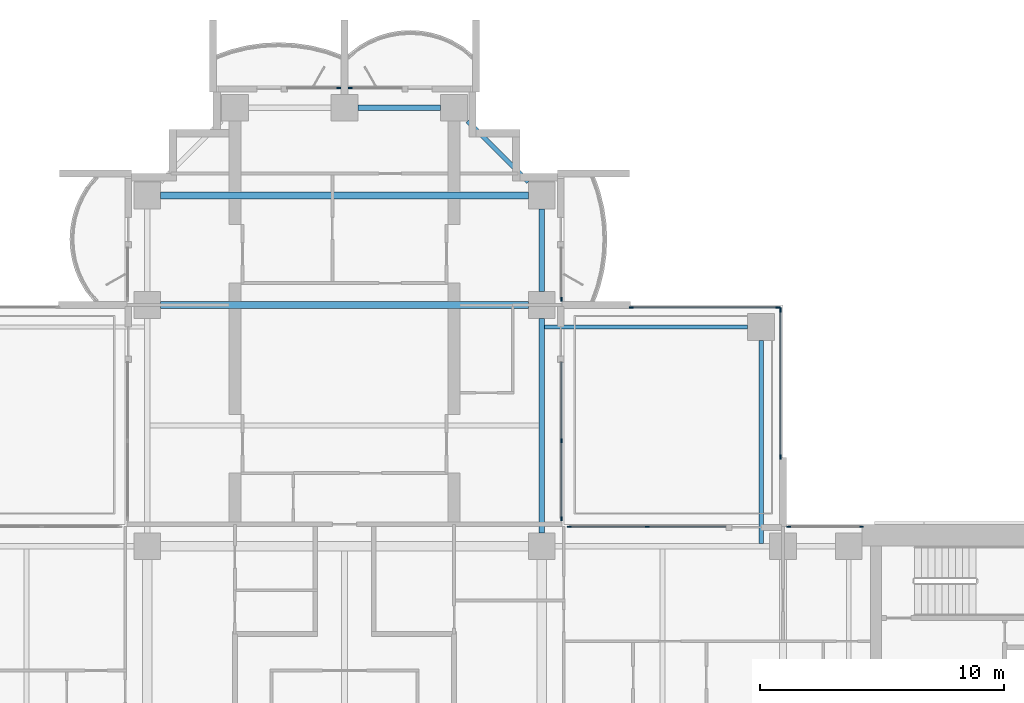
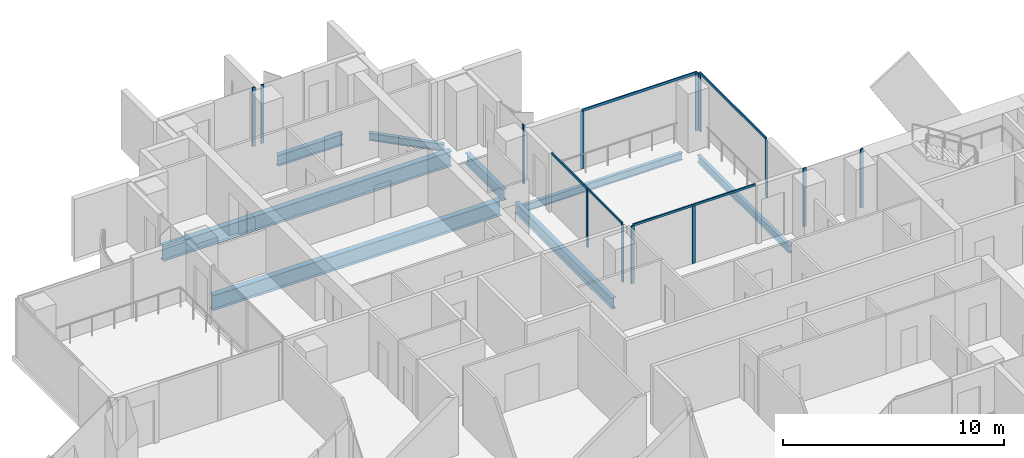
# One storey, part 6 of 19: 17 members, 8 beams, 8 elements without a shape of their own.
"""IFC4 building model written with IfcOpenShell, lengths in metres."""

from ifc_helpers import new_model, si_unit, direction, frame, origin, origin_2d, place, context, subcontext, project, spatial, rectangle, i_section, extrude, material, material_profile, profile_set, type_object, element, aggregate, save


model = new_model("IFC4")

# Units and contexts
model_context = context("Model", 3, precision=1e-05, world=origin(), true_north=direction((0.0, 1.0)))
body_context = subcontext(model_context, "Body", "Model", "MODEL_VIEW")
ifc_project = project(units=[si_unit("LENGTHUNIT", "METRE"), si_unit("AREAUNIT", "SQUARE_METRE"), si_unit("VOLUMEUNIT", "CUBIC_METRE"), si_unit("PLANEANGLEUNIT", "RADIAN"), si_unit("MASSUNIT", "GRAM", prefix="KILO")], contexts=[model_context])

# Site, building, storey
site_placement = place(None, origin())
site = spatial("IfcSite", under=ifc_project, at=site_placement, CompositionType="ELEMENT")
building_placement = place(site_placement, origin())
building = spatial("IfcBuilding", under=site, at=building_placement, Name="Perihelion Cross Residences", CompositionType="ELEMENT")
storey_placement = place(building_placement, frame((0.0, 0.0, 126.89990234375)))
storey = spatial("IfcBuildingStorey", under=building, at=storey_placement, Name="L30", CompositionType="ELEMENT", Elevation=126.89990234375)

# Curtain wall, members
ifc_material_1 = material(Name="Bronze anodised aluminium, tinted glazing", Category="aluminium")
curtain_wall_type_1 = type_object("IfcCurtainWallType", Name="CW1", PredefinedType="NOTDEFINED", material=ifc_material_1)
curtain_wall_1_placement = place(storey_placement, origin())
curtain_wall_1 = element("IfcCurtainWall", 1, at=curtain_wall_1_placement, inside=storey, type_object=curtain_wall_type_1, Name="Curtain wall CW1 L30 east side north bay 1", PredefinedType="NOTDEFINED")
ifc_material_2 = material(Name="Bronze anodised aluminium", Category="aluminium")
ifc_material_profile_1 = material_profile(ifc_material_2, rectangle(XDim=0.06005859375, YDim=0.159912109375, at=origin_2d()), Name="CW1 mullion")
ifc_profile_set_1 = profile_set([ifc_material_profile_1], Name="Bronze anodised aluminium")
member_type_1 = type_object("IfcMemberType", Name="CW1 mullion", PredefinedType="MULLION", material=ifc_profile_set_1)
member_1_placement = place(storey_placement, frame((21.219970703125, 8.89990234375, 0.0), z_axis=(0.0, 0.0, 1.0), x_axis=(0.0, -1.0, 0.0)))
member_1 = element("IfcMember", 2, at=member_1_placement, type_object=member_type_1, Name="CW1 mullion 1", PredefinedType="MULLION", context=body_context, shape_type="SweptSolid", body=[
    extrude(rectangle(XDim=0.06005859375, YDim=0.159912109375, at=origin_2d()), origin(), (0.0, 0.0, 1.0), 3.25),
])
member_2_placement = place(storey_placement, frame((18.22998046875, 8.89990234375, 0.0), z_axis=(0.0, 0.0, 1.0), x_axis=(0.0, -1.0, 0.0)))
member_2 = element("IfcMember", 3, at=member_2_placement, type_object=member_type_1, Name="CW1 mullion 2", PredefinedType="MULLION", context=body_context, shape_type="SweptSolid", body=[
    extrude(rectangle(XDim=0.06005859375, YDim=0.159912109375, at=origin_2d()), origin(), (0.0, 0.0, 1.0), 3.25),
])
aggregate(curtain_wall_1, [member_1, member_2])

curtain_wall_2_placement = place(storey_placement, origin())
curtain_wall_2 = element("IfcCurtainWall", 4, at=curtain_wall_2_placement, inside=storey, type_object=curtain_wall_type_1, Name="Curtain wall CW1 L30 east side north bay 2", PredefinedType="NOTDEFINED")
member_3_placement = place(storey_placement, frame((12.425048828125, 8.89990234375, 0.0), z_axis=(0.0, 0.0, 1.0), x_axis=(0.0, -1.0, 0.0)))
member_3 = element("IfcMember", 5, at=member_3_placement, type_object=member_type_1, Name="CW1 mullion 2", PredefinedType="MULLION", context=body_context, shape_type="SweptSolid", body=[
    extrude(rectangle(XDim=0.06005859375, YDim=0.159912109375, at=origin_2d()), origin(), (0.0, 0.0, 1.0), 3.190185546875),
])
member_4_placement = place(storey_placement, frame((9.22998046875, 8.89990234375, 0.0), z_axis=(0.0, 0.0, 1.0), x_axis=(0.0, -1.0, 0.0)))
member_4 = element("IfcMember", 6, at=member_4_placement, type_object=member_type_1, Name="CW1 mullion 3", PredefinedType="MULLION", context=body_context, shape_type="SweptSolid", body=[
    extrude(rectangle(XDim=0.06005859375, YDim=0.159912109375, at=origin_2d()), origin(), (0.0, 0.0, 1.0), 3.190185546875),
])

curtain_wall_3_placement = place(storey_placement, origin())
curtain_wall_3 = element("IfcCurtainWall", 7, at=curtain_wall_3_placement, inside=storey, type_object=curtain_wall_type_1, Name="Curtain wall CW1 L30 north side east bay 1", PredefinedType="NOTDEFINED")
member_5_placement = place(storey_placement, frame((8.89990234375, 9.22998046875, 0.0), z_axis=(0.0, 0.0, 1.0), x_axis=(-1.0, 0.0, 0.0)))
member_5 = element("IfcMember", 8, at=member_5_placement, type_object=member_type_1, Name="CW1 mullion 1", PredefinedType="MULLION", context=body_context, shape_type="SweptSolid", body=[
    extrude(rectangle(XDim=0.06005859375, YDim=0.159912109375, at=origin_2d()), origin(), (0.0, 0.0, 1.0), 3.190185546875),
])
member_6_placement = place(storey_placement, frame((8.89990234375, 12.425048828125, 0.0), z_axis=(0.0, 0.0, 1.0), x_axis=(-1.0, 0.0, 0.0)))
member_6 = element("IfcMember", 9, at=member_6_placement, type_object=member_type_1, Name="CW1 mullion 2", PredefinedType="MULLION", context=body_context, shape_type="SweptSolid", body=[
    extrude(rectangle(XDim=0.06005859375, YDim=0.159912109375, at=origin_2d()), origin(), (0.0, 0.0, 1.0), 3.190185546875),
])

# Curtain wall, member
curtain_wall_4_placement = place(storey_placement, origin())
curtain_wall_4 = element("IfcCurtainWall", 10, at=curtain_wall_4_placement, inside=storey, type_object=curtain_wall_type_1, Name="Curtain wall CW1 L30 north side east bay 2", PredefinedType="NOTDEFINED")
member_7_placement = place(storey_placement, frame((8.89990234375, 18.22998046875, 0.0), z_axis=(0.0, 0.0, 1.0), x_axis=(-1.0, 0.0, 0.0)))
member_7 = element("IfcMember", 11, at=member_7_placement, type_object=member_type_1, Name="CW1 mullion 1", PredefinedType="MULLION", context=body_context, shape_type="SweptSolid", body=[
    extrude(rectangle(XDim=0.06005859375, YDim=0.159912109375, at=origin_2d()), origin(), (0.0, 0.0, 1.0), 3.25),
])
aggregate(curtain_wall_4, [member_7])

curtain_wall_5_placement = place(storey_placement, origin())
curtain_wall_5 = element("IfcCurtainWall", 12, at=curtain_wall_5_placement, inside=storey, type_object=curtain_wall_type_1, Name="Curtain wall CW1 L30 north tip north bay 1", PredefinedType="NOTDEFINED")
member_8_placement = place(storey_placement, frame((0.22998046875, 26.89990234375, 0.0), z_axis=(0.0, 0.0, 1.0), x_axis=(0.0, -1.0, 0.0)))
member_8 = element("IfcMember", 13, at=member_8_placement, type_object=member_type_1, Name="CW1 mullion 2", PredefinedType="MULLION", context=body_context, shape_type="SweptSolid", body=[
    extrude(rectangle(XDim=0.06005859375, YDim=0.159912109375, at=origin_2d()), origin(), (0.0, 0.0, 1.0), 3.25),
])
aggregate(curtain_wall_5, [member_8])

curtain_wall_6_placement = place(storey_placement, origin())
curtain_wall_6 = element("IfcCurtainWall", 14, at=curtain_wall_6_placement, inside=storey, type_object=curtain_wall_type_1, Name="Curtain wall CW1 L30 north tip north bay 2", PredefinedType="NOTDEFINED")
member_9_placement = place(storey_placement, frame((-0.22998046875, 26.89990234375, 0.0), z_axis=(0.0, 0.0, 1.0), x_axis=(0.0, -1.0, 0.0)))
member_9 = element("IfcMember", 15, at=member_9_placement, type_object=member_type_1, Name="CW1 mullion 1", PredefinedType="MULLION", context=body_context, shape_type="SweptSolid", body=[
    extrude(rectangle(XDim=0.06005859375, YDim=0.159912109375, at=origin_2d()), origin(), (0.0, 0.0, 1.0), 3.25),
])
aggregate(curtain_wall_6, [member_9])

# Member
ifc_material_3 = material(Name="Bronze anodised aluminium", Category="aluminium")
ifc_material_profile_2 = material_profile(ifc_material_3, rectangle(XDim=0.06005859375, YDim=0.1201171875, at=origin_2d()), Name="CW1 transom")
ifc_profile_set_2 = profile_set([ifc_material_profile_2], Name="Bronze anodised aluminium")
member_type_2 = type_object("IfcMemberType", Name="CW1 transom", PredefinedType="USERDEFINED", material=ifc_profile_set_2)
member_10_placement = place(storey_placement, frame((15.64990234375, 8.89990234375, 3.22021484375), z_axis=(-1.0, 0.0, 0.0), x_axis=(0.0, -1.0, 0.0)))
member_10 = element("IfcMember", 16, at=member_10_placement, type_object=member_type_2, Name="CW1 head transom", ObjectType="TRANSOM", PredefinedType="USERDEFINED", context=body_context, shape_type="SweptSolid", body=[
    extrude(rectangle(XDim=0.06005859375, YDim=0.1201171875, at=origin_2d()), origin(), (0.0, 0.0, 1.0), 6.419921875),
])

aggregate(curtain_wall_2, [member_3, member_4, member_10])

member_11_placement = place(storey_placement, frame((8.89990234375, 9.22998046875, 3.22021484375), z_axis=(0.0, 1.0, 0.0), x_axis=(-1.0, 0.0, 0.0)))
member_11 = element("IfcMember", 17, at=member_11_placement, type_object=member_type_2, Name="CW1 head transom", ObjectType="TRANSOM", PredefinedType="USERDEFINED", context=body_context, shape_type="SweptSolid", body=[
    extrude(rectangle(XDim=0.06005859375, YDim=0.1201171875, at=origin_2d()), origin(), (0.0, 0.0, 1.0), 6.419921875),
])

aggregate(curtain_wall_3, [member_5, member_6, member_11])

# Curtain wall, members
ifc_material_4 = material(Name="Bronze anodised aluminium, tinted glazing", Category="aluminium")
curtain_wall_type_2 = type_object("IfcCurtainWallType", Name="CW4", PredefinedType="NOTDEFINED", material=ifc_material_4)
curtain_wall_7_placement = place(storey_placement, origin())
curtain_wall_7 = element("IfcCurtainWall", 18, at=curtain_wall_7_placement, inside=storey, type_object=curtain_wall_type_2, Name="Curtain wall CW4 L30 pocket north-east 1 1", PredefinedType="NOTDEFINED")
ifc_material_5 = material(Name="Bronze anodised aluminium", Category="aluminium")
ifc_material_profile_3 = material_profile(ifc_material_5, rectangle(XDim=0.06005859375, YDim=0.179931640625, at=origin_2d()), Name="CW4 mullion")
ifc_profile_set_3 = profile_set([ifc_material_profile_3], Name="Bronze anodised aluminium")
member_type_3 = type_object("IfcMemberType", Name="CW4 mullion", PredefinedType="MULLION", material=ifc_profile_set_3)
member_12_placement = place(storey_placement, frame((11.77001953125, 17.89990234375, 0.0), z_axis=(0.0, 0.0, 1.0), x_axis=(0.0, 1.0, 0.0)))
member_12 = element("IfcMember", 19, at=member_12_placement, type_object=member_type_3, Name="CW4 mullion 1", PredefinedType="MULLION", context=body_context, shape_type="SweptSolid", body=[
    extrude(rectangle(XDim=0.06005859375, YDim=0.179931640625, at=origin_2d()), origin(), (0.0, 0.0, 1.0), 3.190185546875),
])
member_13_placement = place(storey_placement, frame((17.800048828125, 17.89990234375, 0.0), z_axis=(0.0, 0.0, 1.0), x_axis=(0.0, 1.0, 0.0)))
member_13 = element("IfcMember", 20, at=member_13_placement, type_object=member_type_3, Name="CW4 mullion 2", PredefinedType="MULLION", context=body_context, shape_type="SweptSolid", body=[
    extrude(rectangle(XDim=0.06005859375, YDim=0.179931640625, at=origin_2d()), origin(), (0.0, 0.0, 1.0), 3.190185546875),
])

curtain_wall_8_placement = place(storey_placement, origin())
curtain_wall_8 = element("IfcCurtainWall", 21, at=curtain_wall_8_placement, inside=storey, type_object=curtain_wall_type_2, Name="Curtain wall CW4 L30 pocket north-east 1 2", PredefinedType="NOTDEFINED")
member_14_placement = place(storey_placement, frame((17.89990234375, 17.800048828125, 0.0), z_axis=(0.0, 0.0, 1.0), x_axis=(1.0, 0.0, 0.0)))
member_14 = element("IfcMember", 22, at=member_14_placement, type_object=member_type_3, Name="CW4 mullion 1", PredefinedType="MULLION", context=body_context, shape_type="SweptSolid", body=[
    extrude(rectangle(XDim=0.06005859375, YDim=0.179931640625, at=origin_2d()), origin(), (0.0, 0.0, 1.0), 3.190185546875),
])
member_15_placement = place(storey_placement, frame((17.89990234375, 11.77001953125, 0.0), z_axis=(0.0, 0.0, 1.0), x_axis=(1.0, 0.0, 0.0)))
member_15 = element("IfcMember", 23, at=member_15_placement, type_object=member_type_3, Name="CW4 mullion 2", PredefinedType="MULLION", context=body_context, shape_type="SweptSolid", body=[
    extrude(rectangle(XDim=0.06005859375, YDim=0.179931640625, at=origin_2d()), origin(), (0.0, 0.0, 1.0), 3.190185546875),
])

# Member
ifc_material_6 = material(Name="Bronze anodised aluminium", Category="aluminium")
ifc_material_profile_4 = material_profile(ifc_material_6, rectangle(XDim=0.06005859375, YDim=0.139892578125, at=origin_2d()), Name="CW4 transom")
ifc_profile_set_4 = profile_set([ifc_material_profile_4], Name="Bronze anodised aluminium")
member_type_4 = type_object("IfcMemberType", Name="CW4 transom", PredefinedType="USERDEFINED", material=ifc_profile_set_4)
member_16_placement = place(storey_placement, frame((11.77001953125, 17.89990234375, 3.22021484375), z_axis=(1.0, 0.0, 0.0), x_axis=(0.0, 1.0, 0.0)))
member_16 = element("IfcMember", 24, at=member_16_placement, type_object=member_type_4, Name="CW4 head transom", ObjectType="TRANSOM", PredefinedType="USERDEFINED", context=body_context, shape_type="SweptSolid", body=[
    extrude(rectangle(XDim=0.06005859375, YDim=0.139892578125, at=origin_2d()), origin(), (0.0, 0.0, 1.0), 6.030029296875),
])

aggregate(curtain_wall_7, [member_12, member_13, member_16])

member_17_placement = place(storey_placement, frame((17.89990234375, 17.800048828125, 3.22021484375), z_axis=(0.0, -1.0, 0.0), x_axis=(1.0, 0.0, 0.0)))
member_17 = element("IfcMember", 25, at=member_17_placement, type_object=member_type_4, Name="CW4 head transom", ObjectType="TRANSOM", PredefinedType="USERDEFINED", context=body_context, shape_type="SweptSolid", body=[
    extrude(rectangle(XDim=0.06005859375, YDim=0.139892578125, at=origin_2d()), origin(), (0.0, 0.0, 1.0), 6.030029296875),
])

aggregate(curtain_wall_8, [member_14, member_15, member_17])

# Beams
ifc_material_7 = material(Name="Steel S355", Category="steel")
ifc_material_profile_5 = material_profile(ifc_material_7, i_section(OverallWidth=0.177978515625, OverallDepth=0.406005859375, WebThickness=0.0078125, FlangeThickness=0.0126953125, at=origin_2d()), Name="W410x60")
ifc_profile_set_5 = profile_set([ifc_material_profile_5], Name="Steel S355")
beam_type_1 = type_object("IfcBeamType", Name="Core edge beam W410x60", PredefinedType="BEAM", material=ifc_profile_set_5)
for number, where, z_axis, x_axis, name in (
    (26, (17.10009765625, 8.214599609375, -0.452880859375), (0.0, 1.0, 0.0), (-1.0, 0.0, 0.0), "Core edge beam TB2 L30 corner no. 7"),
    (27, (8.214599609375, 17.10009765625, -0.452880859375), (1.0, 0.0, 0.0), (0.0, 1.0, 0.0), "Core edge beam TB2 L30 corner no. 8"),
):
    element("IfcBeam", number, at=place(storey_placement, frame(where, z_axis=z_axis, x_axis=x_axis)), inside=storey, type_object=beam_type_1, Name=name, PredefinedType="BEAM", context=body_context, shape_type="SweptSolid", body=[
        extrude(i_section(OverallWidth=0.177978515625, OverallDepth=0.406005859375, WebThickness=0.0078125, FlangeThickness=0.0126953125, at=origin_2d()), origin(), (0.0, 0.0, 1.0), 8.33544921875),
    ])
ifc_material_8 = material(Name="Steel S355", Category="steel")
ifc_material_profile_6 = material_profile(ifc_material_8, i_section(OverallWidth=0.22900390625, OverallDepth=0.612060546875, WebThickness=0.011962890625, FlangeThickness=0.01953125, at=origin_2d()), Name="W610x125")
ifc_profile_set_6 = profile_set([ifc_material_profile_6], Name="Steel S355")
beam_type_2 = type_object("IfcBeamType", Name="Edge beam W610x125", PredefinedType="SPANDREL", material=ifc_profile_set_6)
beam_1_placement = place(storey_placement, frame((8.10009765625, 8.64990234375, -0.555908203125), z_axis=(0.0, 1.0, 0.0), x_axis=(-1.0, 0.0, 0.0)))
element("IfcBeam", 28, at=beam_1_placement, inside=storey, type_object=beam_type_2, Name="Edge beam SB3 L30 no. 18", PredefinedType="SPANDREL", context=body_context, shape_type="SweptSolid", body=[
    extrude(i_section(OverallWidth=0.22900390625, OverallDepth=0.612060546875, WebThickness=0.011962890625, FlangeThickness=0.01953125, at=origin_2d()), origin(), (0.0, 0.0, 1.0), 8.800048828125),
])
for number, where, z_axis, x_axis, name in (
    (29, (8.10009765625, 18.550048828125, -0.555908203125), (0.0, 1.0, 0.0), (-1.0, 0.0, 0.0), "Edge beam SB3 L30 no. 17"),
    (30, (3.949951171875, 26.10009765625, -0.555908203125), (-1.0, 0.0, 0.0), (0.0, -1.0, 0.0), "Edge beam SB3 L30 no. 14"),
):
    element("IfcBeam", number, at=place(storey_placement, frame(where, z_axis=z_axis, x_axis=x_axis)), inside=storey, type_object=beam_type_2, Name=name, PredefinedType="SPANDREL", context=body_context, shape_type="SweptSolid", body=[
        extrude(i_section(OverallWidth=0.22900390625, OverallDepth=0.612060546875, WebThickness=0.011962890625, FlangeThickness=0.01953125, at=origin_2d()), origin(), (0.0, 0.0, 1.0), 3.39990234375),
    ])
ifc_material_9 = material(Name="Steel S355", Category="steel")
ifc_material_profile_7 = material_profile(ifc_material_9, i_section(OverallWidth=0.2919921875, OverallDepth=0.8359375, WebThickness=0.013916015625, FlangeThickness=0.018798828125, at=origin_2d()), Name="W840x176")
ifc_profile_set_7 = profile_set([ifc_material_profile_7], Name="Steel S355")
beam_type_3 = type_object("IfcBeamType", Name="Floor girder W840x176", PredefinedType="BEAM", material=ifc_profile_set_7)
for number, where, z_axis, x_axis, name in (
    (31, (-7.550048828125, 18.0, -0.66796875), (1.0, 0.0, 0.0), (0.0, 1.0, 0.0), "Girder G3 L30 no. 4"),
    (32, (-7.550048828125, 22.5, -0.66796875), (1.0, 0.0, 0.0), (0.0, 1.0, 0.0), "Girder G3 L30 no. 5"),
):
    element("IfcBeam", number, at=place(storey_placement, frame(where, z_axis=z_axis, x_axis=x_axis)), inside=storey, type_object=beam_type_3, Name=name, PredefinedType="BEAM", context=body_context, shape_type="SweptSolid", body=[
        extrude(i_section(OverallWidth=0.2919921875, OverallDepth=0.8359375, WebThickness=0.013916015625, FlangeThickness=0.018798828125, at=origin_2d()), origin(), (0.0, 0.0, 1.0), 15.10009765625),
    ])
ifc_material_10 = material(Name="Steel S355", Category="steel")
ifc_material_profile_8 = material_profile(ifc_material_10, i_section(OverallWidth=0.180908203125, OverallDepth=0.4169921875, WebThickness=0.010986328125, FlangeThickness=0.018310546875, at=origin_2d()), Name="W410x85")
ifc_profile_set_8 = profile_set([ifc_material_profile_8], Name="Steel S355")
beam_type_4 = type_object("IfcBeamType", Name="Serration edge beam W410x85", PredefinedType="BEAM", material=ifc_profile_set_8)
beam_2_placement = place(storey_placement, frame((7.550048828125, 23.050048828125, -0.45849609375), z_axis=(-0.707106781187, 0.707106781187, 0.0), x_axis=(-0.707106781187, -0.707106781187, 0.0)))
element("IfcBeam", 33, at=beam_2_placement, inside=storey, type_object=beam_type_4, Name="Serration edge beam EB3 L30 no. 4", PredefinedType="BEAM", context=body_context, shape_type="SweptSolid", body=[
    extrude(i_section(OverallWidth=0.180908203125, OverallDepth=0.4169921875, WebThickness=0.010986328125, FlangeThickness=0.018310546875, at=origin_2d()), origin(), (0.0, 0.0, 1.0), 3.53564453125),
])

save(model, "model.ifc")
